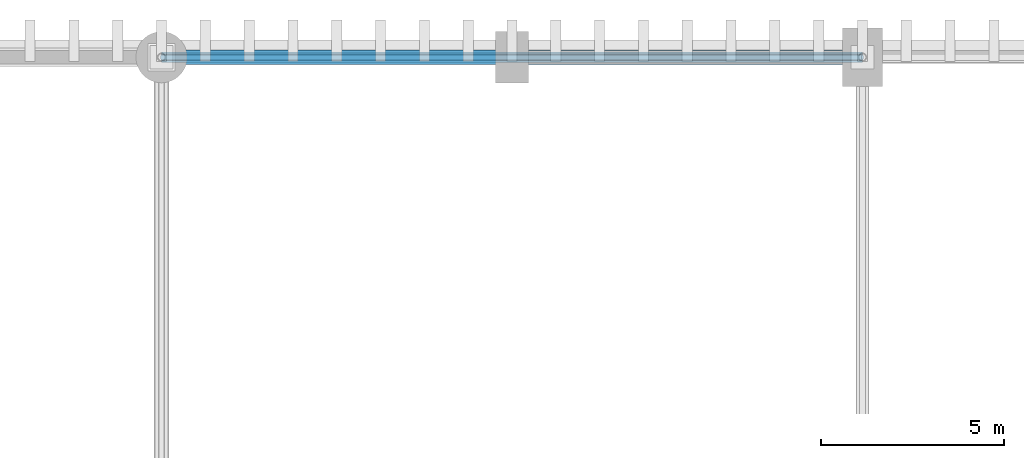
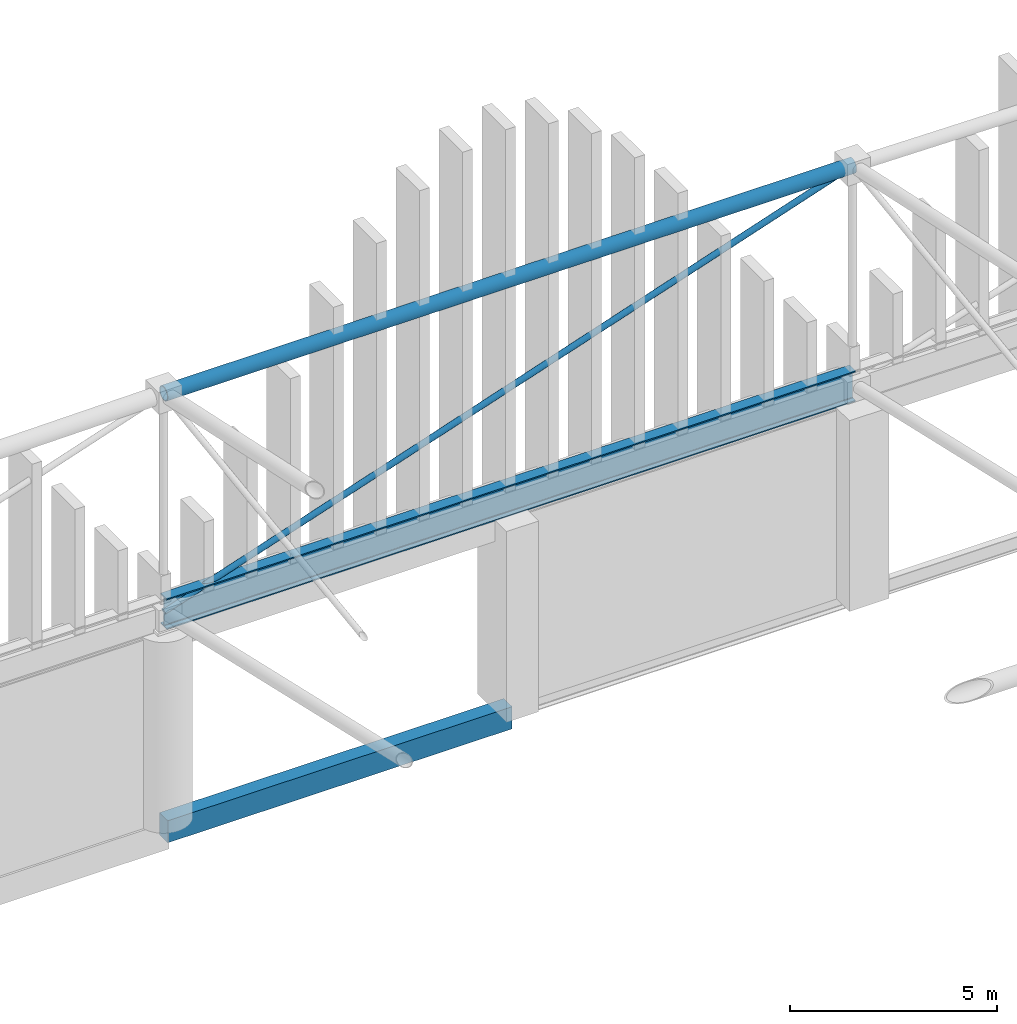
# One storey, part 125 of 193: 2 beams, 2 members.
"""IFC4 building model written with IfcOpenShell, lengths in metres."""

from ifc_helpers import new_model, si_unit, direction, frame, origin, origin_2d, place, context, subcontext, project, spatial, rectangle, hollow_circle, i_section, extrude, material, material_profile, profile_set, type_object, element, save


model = new_model("IFC4")

# Units and contexts
model_context = context("Model", 3, precision=1e-05, world=origin(), true_north=direction((0.0, 1.0)))
body_context = subcontext(model_context, "Body", "Model", "MODEL_VIEW")
ifc_project = project(units=[si_unit("LENGTHUNIT", "METRE"), si_unit("AREAUNIT", "SQUARE_METRE"), si_unit("VOLUMEUNIT", "CUBIC_METRE"), si_unit("PLANEANGLEUNIT", "RADIAN"), si_unit("MASSUNIT", "GRAM", prefix="KILO")], contexts=[model_context])

# Site, building, storey
site_placement = place(None, origin())
site = spatial("IfcSite", under=ifc_project, at=site_placement, CompositionType="ELEMENT")
building_placement = place(site_placement, origin())
building = spatial("IfcBuilding", under=site, at=building_placement, Name="Danafjord Basin Convention Centre", CompositionType="ELEMENT")
storey_placement = place(building_placement, frame((0.0, 0.0, 11.39990234375)))
storey = spatial("IfcBuildingStorey", under=building, at=storey_placement, Name="L02", CompositionType="ELEMENT", Elevation=11.39990234375)

# Beams
ifc_material_1 = material(Name="Steel S355", Category="steel")
ifc_material_profile_1 = material_profile(ifc_material_1, i_section(OverallWidth=0.300048828125, OverallDepth=0.89990234375, WebThickness=0.0185546875, FlangeThickness=0.034912109375, FilletRadius=0.030029296875, at=origin_2d()), Name="HEB 900")
ifc_profile_set_1 = profile_set([ifc_material_profile_1], Name="Steel S355")
beam_type_1 = type_object("IfcBeamType", Name="BEAM-BM-HEB900", PredefinedType="BEAM", material=ifc_profile_set_1)
beam_1_placement = place(storey_placement, frame((19.199951171875, 144.0, 6.050048828125), z_axis=(1.0, 0.0, 0.0), x_axis=(0.0, 1.0, 0.0)))
element("IfcBeam", 1, at=beam_1_placement, inside=storey, type_object=beam_type_1, Name="V1 space-frame perimeter ring girder", PredefinedType="BEAM", context=body_context, shape_type="SweptSolid", body=[
    extrude(i_section(OverallWidth=0.300048828125, OverallDepth=0.89990234375, WebThickness=0.0185546875, FlangeThickness=0.034912109375, FilletRadius=0.030029296875, at=origin_2d()), origin(), (0.0, 0.0, 1.0), 19.199951171875),
])
ifc_material_2 = material(Name="Precast concrete C45/55", Category="concrete")
ifc_material_profile_2 = material_profile(ifc_material_2, rectangle(XDim=0.39990234375, YDim=0.64990234375, at=origin_2d()), Name="PCB 400x650")
ifc_profile_set_2 = profile_set([ifc_material_profile_2], Name="Precast concrete C45/55")
beam_type_2 = type_object("IfcBeamType", Name="BEAM-SP-PCB650", PredefinedType="SPANDREL", material=ifc_profile_set_2)
beam_2_placement = place(storey_placement, frame((19.199951171875, 144.0, -0.324951171875), z_axis=(1.0, 0.0, 0.0), x_axis=(0.0, 1.0, 0.0)))
element("IfcBeam", 2, at=beam_2_placement, inside=storey, type_object=beam_type_2, Name="L02 girder SP-PCB650", PredefinedType="SPANDREL", context=body_context, shape_type="SweptSolid", body=[
    extrude(rectangle(XDim=0.39990234375, YDim=0.64990234375, at=origin_2d()), origin(), (0.0, 0.0, 1.0), 9.60009765625),
])

# Members
ifc_material_profile_3 = material_profile(ifc_material_1, hollow_circle(Radius=0.203125, WallThickness=0.02001953125, at=origin_2d()), Name="CHS 406.4x20.0")
ifc_profile_set_3 = profile_set([ifc_material_profile_3], Name="Steel S355")
member_type_1 = type_object("IfcMemberType", Name="MEM-CH-CHS406", PredefinedType="CHORD", material=ifc_profile_set_3)
member_1_placement = place(storey_placement, frame((19.199951171875, 144.0, 12.47509765625), z_axis=(1.0, 0.0, 0.0), x_axis=(0.0, 1.0, 0.0)))
element("IfcMember", 3, at=member_1_placement, inside=storey, type_object=member_type_1, Name="V1 roof truss longitudinal top chord", PredefinedType="CHORD", context=body_context, shape_type="SweptSolid", body=[
    extrude(hollow_circle(Radius=0.203125, WallThickness=0.02001953125, at=origin_2d()), origin(), (0.0, 0.0, 1.0), 19.199951171875),
])
ifc_material_profile_4 = material_profile(ifc_material_1, hollow_circle(Radius=0.084228515625, WallThickness=0.008056640625, at=origin_2d()), Name="CHS 168.3x8.0")
ifc_profile_set_4 = profile_set([ifc_material_profile_4], Name="Steel S355")
member_type_2 = type_object("IfcMemberType", Name="MEM-WB-CHS168", PredefinedType="MEMBER", material=ifc_profile_set_4)
member_2_placement = place(storey_placement, frame((19.199951171875, 144.0, 6.050048828125), z_axis=(0.948311244058, 0.0, 0.317341747007), x_axis=(0.0, 1.0, 0.0)))
element("IfcMember", 4, at=member_2_placement, inside=storey, type_object=member_type_2, Name="V1 space-frame longitudinal web", PredefinedType="MEMBER", context=body_context, shape_type="SweptSolid", body=[
    extrude(hollow_circle(Radius=0.084228515625, WallThickness=0.008056640625, at=origin_2d()), origin(), (0.0, 0.0, 1.0), 20.24658203125),
])

save(model, "model.ifc")
